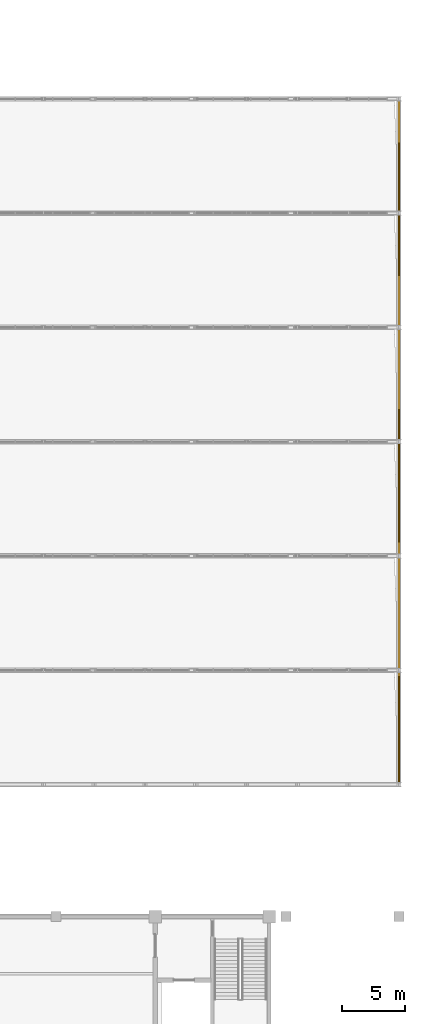
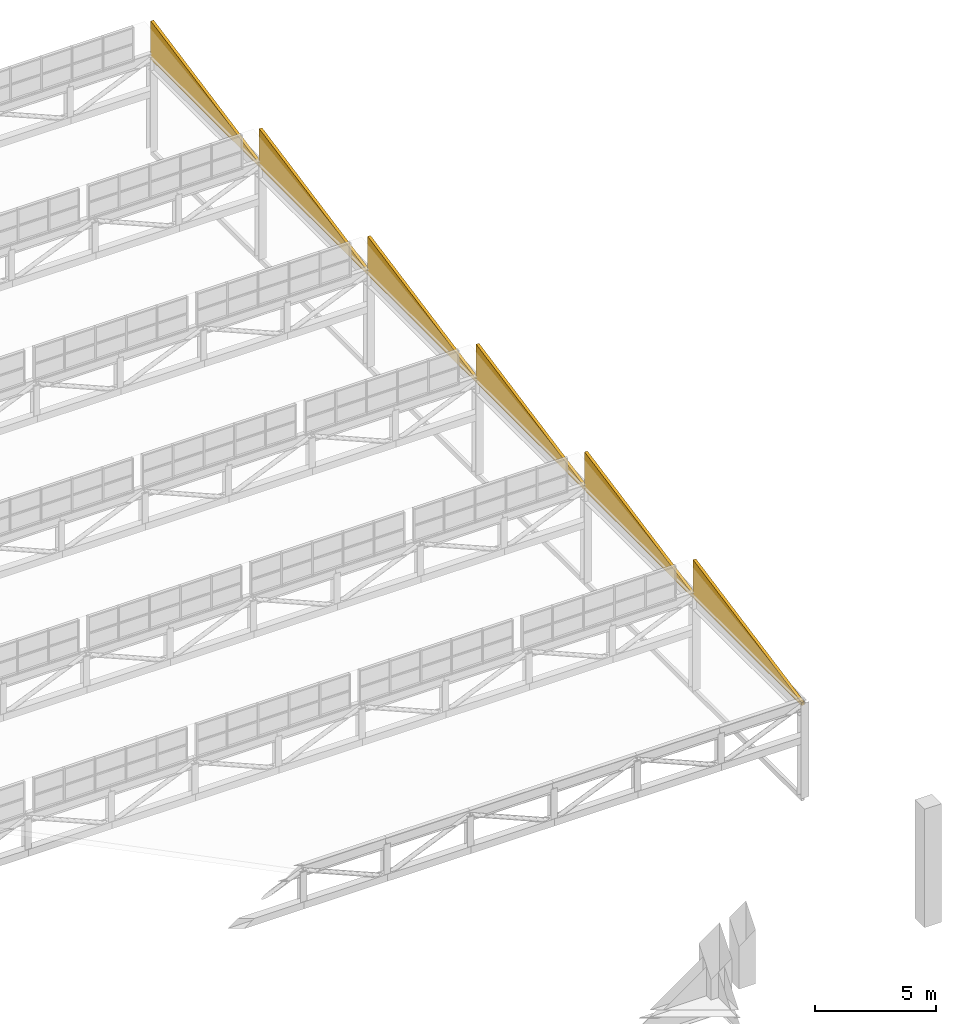
# One storey, part 159 of 159: 6 coverings.
"""IFC4 building model written with IfcOpenShell, lengths in metres."""

from ifc_helpers import new_model, si_unit, direction, frame, origin, place, context, subcontext, project, spatial, polyline, outline, extrude, material, type_object, element, save


model = new_model("IFC4")

# Units and contexts
model_context = context("Model", 3, precision=1e-05, world=origin(), true_north=direction((0.0, 1.0)))
body_context = subcontext(model_context, "Body", "Model", "MODEL_VIEW")
ifc_project = project(units=[si_unit("LENGTHUNIT", "METRE"), si_unit("AREAUNIT", "SQUARE_METRE"), si_unit("VOLUMEUNIT", "CUBIC_METRE"), si_unit("PLANEANGLEUNIT", "RADIAN"), si_unit("MASSUNIT", "GRAM", prefix="KILO")], contexts=[model_context])

# Site, building, storey
site_placement = place(None, origin())
site = spatial("IfcSite", under=ifc_project, at=site_placement, CompositionType="ELEMENT")
building_placement = place(site_placement, origin())
building = spatial("IfcBuilding", under=site, at=building_placement, Name="Cazmaro Siding Exhibition Halls", CompositionType="ELEMENT")
storey_placement = place(building_placement, frame((0.0, 0.0, 6.0)))
storey = spatial("IfcBuildingStorey", under=building, at=storey_placement, Name="L01", CompositionType="ELEMENT", Elevation=6.0)

# Coverings
ifc_material = material(Name="Insulated Brushed Aluminum Architectural Gable Cladding", Category="aluminium")
covering_type = type_object("IfcCoveringType", Name="COV-CLAD-01", PredefinedType="CLADDING", material=ifc_material)
for number, where, z_axis, x_axis, name in (
    (1, (216.0, 64.0, -6.0), (0.0, 0.0, 1.0), (0.0, 1.0, 0.0), "Sawtooth East Cheek Cladding Bay 1 COV-CLAD-01 004"),
    (2, (216.0, 73.0, -6.0), (0.0, 0.0, 1.0), (0.0, 1.0, 0.0), "Sawtooth East Cheek Cladding Bay 2 COV-CLAD-01 006"),
    (3, (216.0, 82.0, -6.0), (0.0, 0.0, 1.0), (0.0, 1.0, 0.0), "Sawtooth East Cheek Cladding Bay 3 COV-CLAD-01 008"),
    (4, (216.0, 91.0, -6.0), (0.0, 0.0, 1.0), (0.0, 1.0, 0.0), "Sawtooth East Cheek Cladding Bay 4 COV-CLAD-01 010"),
    (5, (216.0, 100.0, -6.0), (0.0, 0.0, 1.0), (0.0, 1.0, 0.0), "Sawtooth East Cheek Cladding Bay 5 COV-CLAD-01 012"),
    (6, (216.0, 109.0, -6.0), (0.0, 0.0, 1.0), (0.0, 1.0, 0.0), "Sawtooth East Cheek Cladding Bay 6 COV-CLAD-01 014"),
):
    element("IfcCovering", number, at=place(storey_placement, frame(where, z_axis=z_axis, x_axis=x_axis)), inside=storey, type_object=covering_type, Name=name, PredefinedType="CLADDING", context=body_context, shape_type="SweptSolid", body=[
        extrude(outline(polyline([(0.0, 10.580078125), (9.0, 10.580078125), (9.0, 12.52001953125), (0.0, 10.739990234375), (0.0, 10.580078125)])), frame((0.0, 0.06982421875, 0.0), z_axis=(0.0, -1.0, 0.0), x_axis=(1.0, 0.0, 0.0)), (0.0, 0.0, 1.0), 0.139892578125),
    ])

save(model, "model.ifc")
